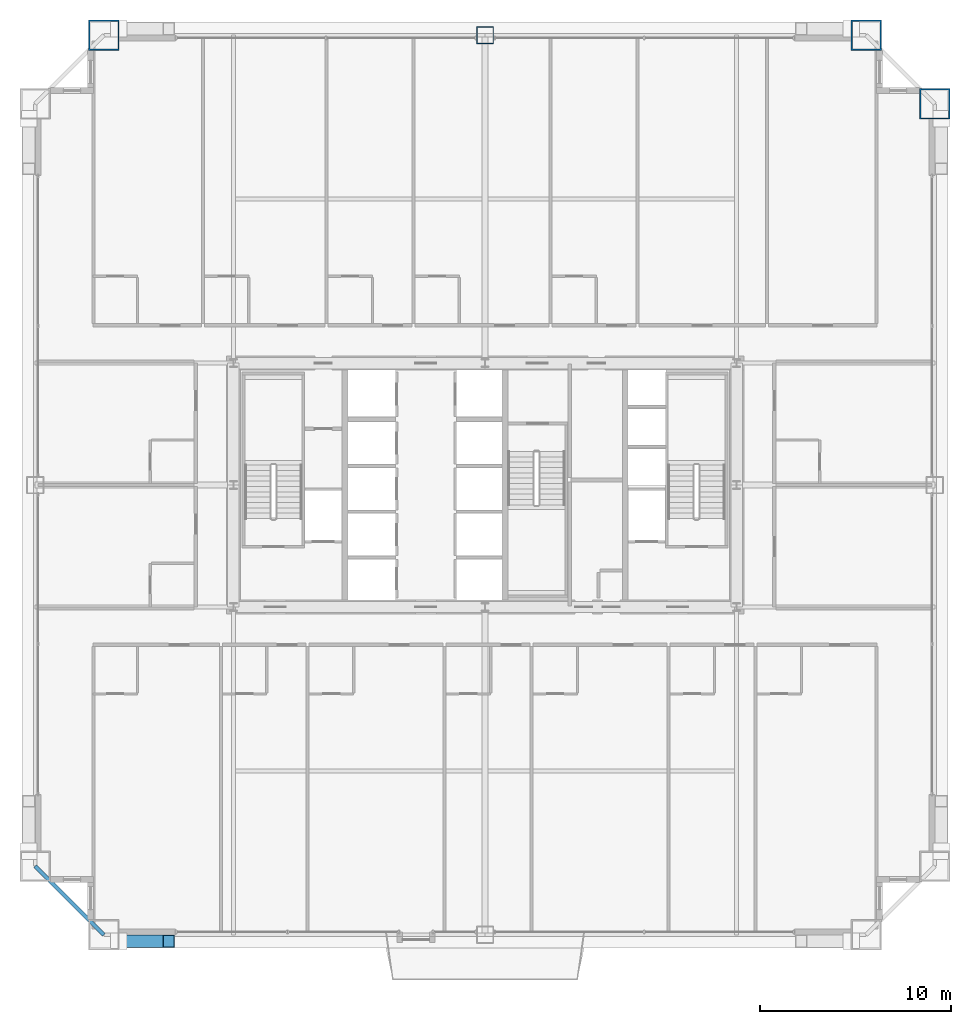
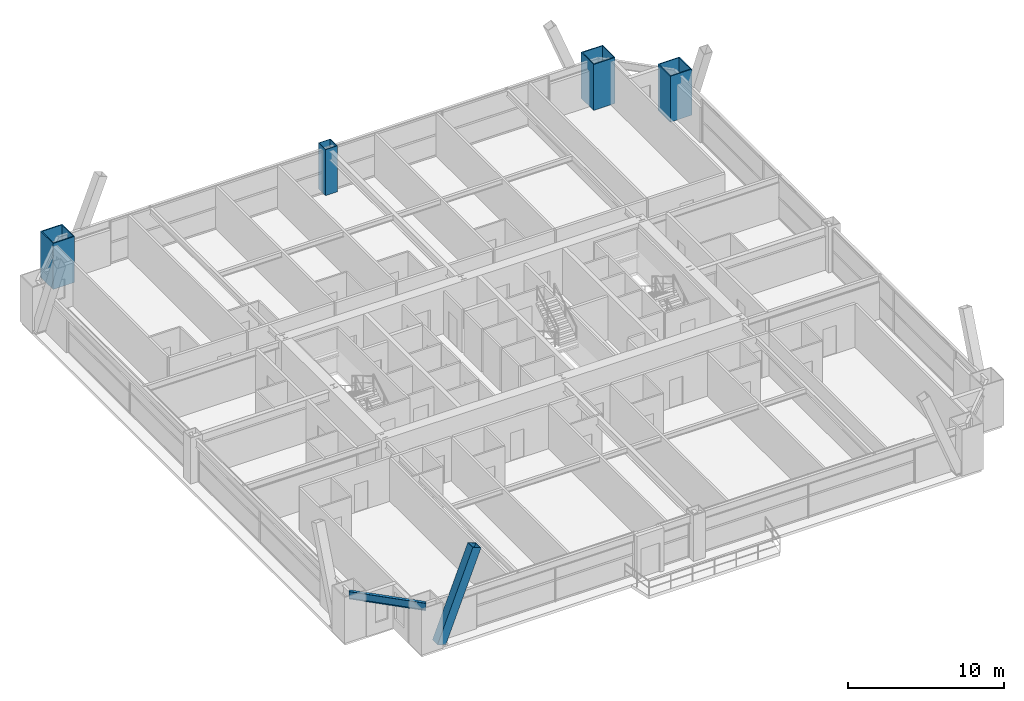
# One storey, part 2 of 43: 4 columns, 1 beam, 1 member.
"""IFC4 building model written with IfcOpenShell, lengths in metres."""

from ifc_helpers import new_model, si_unit, direction, frame, origin, origin_2d, place, context, subcontext, project, spatial, hollow_rectangle, i_section, extrude, source, transform, mapped, material, material_profile, profile_set, type_object, element, save


model = new_model("IFC4")

# Units and contexts
model_context = context("Model", 3, precision=1e-05, world=origin(), true_north=direction((0.0, 1.0)))
body_context = subcontext(model_context, "Body", "Model", "MODEL_VIEW")
ifc_project = project(units=[si_unit("LENGTHUNIT", "METRE"), si_unit("AREAUNIT", "SQUARE_METRE"), si_unit("VOLUMEUNIT", "CUBIC_METRE"), si_unit("PLANEANGLEUNIT", "RADIAN"), si_unit("MASSUNIT", "GRAM", prefix="KILO"), si_unit("THERMODYNAMICTEMPERATUREUNIT", "KELVIN"), si_unit("POWERUNIT", "WATT")], contexts=[model_context])

# Site, building, storey
site_placement = place(None, origin())
site = spatial("IfcSite", under=ifc_project, at=site_placement, CompositionType="ELEMENT")
building_placement = place(site_placement, origin())
building = spatial("IfcBuilding", under=site, at=building_placement, Name="Yuzanri Waterfront Tower", CompositionType="ELEMENT")
storey_placement = place(building_placement, frame((0.0, 0.0, 93.800048828125)))
storey = spatial("IfcBuildingStorey", under=building, at=storey_placement, Name="L24", CompositionType="ELEMENT", Elevation=93.800048828125)

# Columns
ifc_material_1 = material(Name="Steel Q390GJC", Category="steel")
ifc_material_profile_1 = material_profile(ifc_material_1, hollow_rectangle(XDim=0.89990234375, YDim=0.89990234375, WallThickness=0.0419921875, at=origin_2d()), Name="RHS 900x900x42")
ifc_profile_set_1 = profile_set([ifc_material_profile_1], Name="Steel Q390GJC")
column_type_1 = type_object("IfcColumnType", Name="Frame Column Q390GJC RHS 900x900x42", PredefinedType="COLUMN", material=ifc_profile_set_1)
shared_shape_1 = source(origin(), body_context, "Body", "SweptSolid", [
    extrude(hollow_rectangle(XDim=0.89990234375, YDim=0.89990234375, WallThickness=0.0419921875, at=origin_2d()), origin(), (0.0, 0.0, 1.0), 3.599853515625),
])
column_placement = place(storey_placement, frame((37.0, 49.39990234375, 0.0), z_axis=(0.0, 0.0, 1.0), x_axis=(1.0, 0.0, 0.0)))
element("IfcColumn", 1, at=column_placement, inside=storey, type_object=column_type_1, Name="L24 Perimeter Frame Column N2", PredefinedType="COLUMN", context=body_context, shape_type="MappedRepresentation", body=[
    mapped(shared_shape_1, transform((0.0, 0.0, 0.0), scale=1.0)),
])
ifc_material_2 = material(Name="Steel Q420GJC", Category="steel")
ifc_material_profile_2 = material_profile(ifc_material_2, hollow_rectangle(XDim=1.60009765625, YDim=1.60009765625, WallThickness=0.070068359375, at=origin_2d()), Name="RHS 1600x1600x70")
ifc_profile_set_2 = profile_set([ifc_material_profile_2], Name="Steel Q420GJC")
column_type_2 = type_object("IfcColumnType", Name="Mega Column Q420GJC RHS 1600x1600x70", PredefinedType="COLUMN", material=ifc_profile_set_2)
shared_shape_2 = source(origin(), body_context, "Body", "SweptSolid", [
    extrude(hollow_rectangle(XDim=1.60009765625, YDim=1.60009765625, WallThickness=0.070068359375, at=origin_2d()), origin(), (0.0, 0.0, 1.0), 3.599853515625),
])
for number, where, z_axis, x_axis, name in (
    (2, (17.0, 49.39990234375, 0.0), (0.0, 0.0, 1.0), (1.0, 0.0, 0.0), "L24 Perimeter Mega Column N1"),
    (3, (57.0, 49.39990234375, 0.0), (0.0, 0.0, 1.0), (1.0, 0.0, 0.0), "L24 Perimeter Mega Column N3"),
    (4, (60.60009765625, 45.800048828125, 0.0), (0.0, 0.0, 1.0), (1.0, 0.0, 0.0), "L24 Perimeter Mega Column E3"),
):
    element("IfcColumn", number, at=place(storey_placement, frame(where, z_axis=z_axis, x_axis=x_axis)), inside=storey, type_object=column_type_2, Name=name, PredefinedType="COLUMN", context=body_context, shape_type="MappedRepresentation", body=[
        mapped(shared_shape_2, transform((0.0, 0.0, 0.0), scale=1.0)),
    ])

# Beam
ifc_material_3 = material(Name="Steel Q355B", Category="steel")
ifc_material_profile_3 = material_profile(ifc_material_3, i_section(OverallWidth=0.199951171875, OverallDepth=0.60009765625, WebThickness=0.010986328125, FlangeThickness=0.01708984375, at=origin_2d()), Name="HN 600x200x11x17")
ifc_profile_set_3 = profile_set([ifc_material_profile_3], Name="Steel Q355B")
beam_type = type_object("IfcBeamType", Name="Perimeter Spandrel Q355B HN 600x200", PredefinedType="SPANDREL", material=ifc_profile_set_3)
shared_shape_3 = source(origin(), body_context, "Body", "SweptSolid", [
    extrude(i_section(OverallWidth=0.199951171875, OverallDepth=0.60009765625, WebThickness=0.010986328125, FlangeThickness=0.01708984375, at=origin_2d()), origin(), (0.0, 0.0, 1.0), 5.09130859375),
])
beam_placement = place(storey_placement, frame((13.39990234375, 5.800048828125, 3.079833984375), z_axis=(0.707106781187, -0.707106781187, 0.0), x_axis=(0.707106781187, 0.707106781187, 0.0)))
element("IfcBeam", 5, at=beam_placement, inside=storey, type_object=beam_type, Name="L24 Perimeter Spandrel W1-S1", PredefinedType="SPANDREL", context=body_context, shape_type="MappedRepresentation", body=[
    mapped(shared_shape_3, transform((0.0, 0.0, 0.0), scale=1.0)),
])

# Member
ifc_material_4 = material(Name="Steel Q420GJC", Category="steel")
ifc_material_profile_4 = material_profile(ifc_material_4, hollow_rectangle(XDim=0.64990234375, YDim=0.64990234375, WallThickness=0.028076171875, at=origin_2d()), Name="RHS 650x650x28")
ifc_profile_set_4 = profile_set([ifc_material_profile_4], Name="Steel Q420GJC")
member_type = type_object("IfcMemberType", Name="Mega Brace Lower Q420GJC RHS 650x650x28", PredefinedType="BRACE", material=ifc_profile_set_4)
shared_shape_4 = source(origin(), body_context, "Body", "SweptSolid", [
    extrude(hollow_rectangle(XDim=0.64990234375, YDim=0.64990234375, WallThickness=0.028076171875, at=origin_2d()), origin(), (0.0, 0.0, 1.0), 7.19384765625),
])
member_placement = place(storey_placement, frame((17.780029296875, 1.860107421875, 0.179931640625), z_axis=(0.36417668996, 0.0, 0.9313298763), x_axis=(0.0, 1.0, 0.0)))
element("IfcMember", 6, at=member_placement, inside=storey, type_object=member_type, Name="L24-L25 Perimeter Mega-Brace S-L", PredefinedType="BRACE", context=body_context, shape_type="MappedRepresentation", body=[
    mapped(shared_shape_4, transform((0.0, 0.0, 0.0), scale=1.0)),
])

save(model, "model.ifc")
